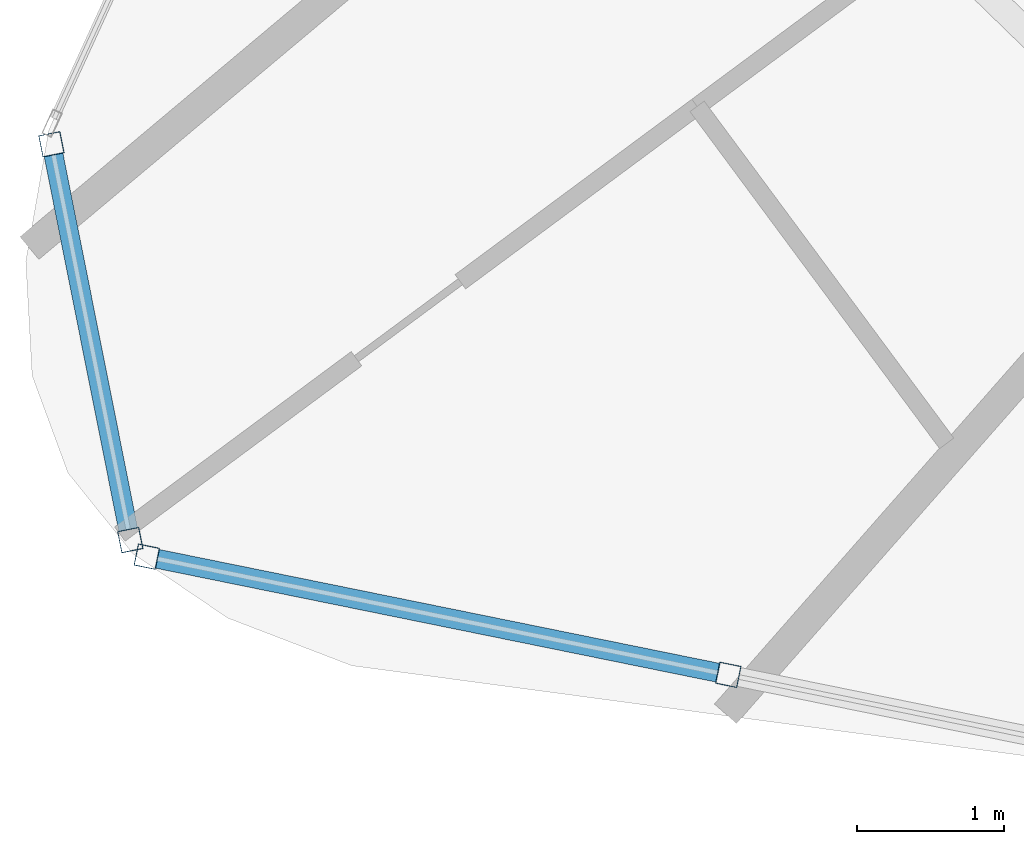
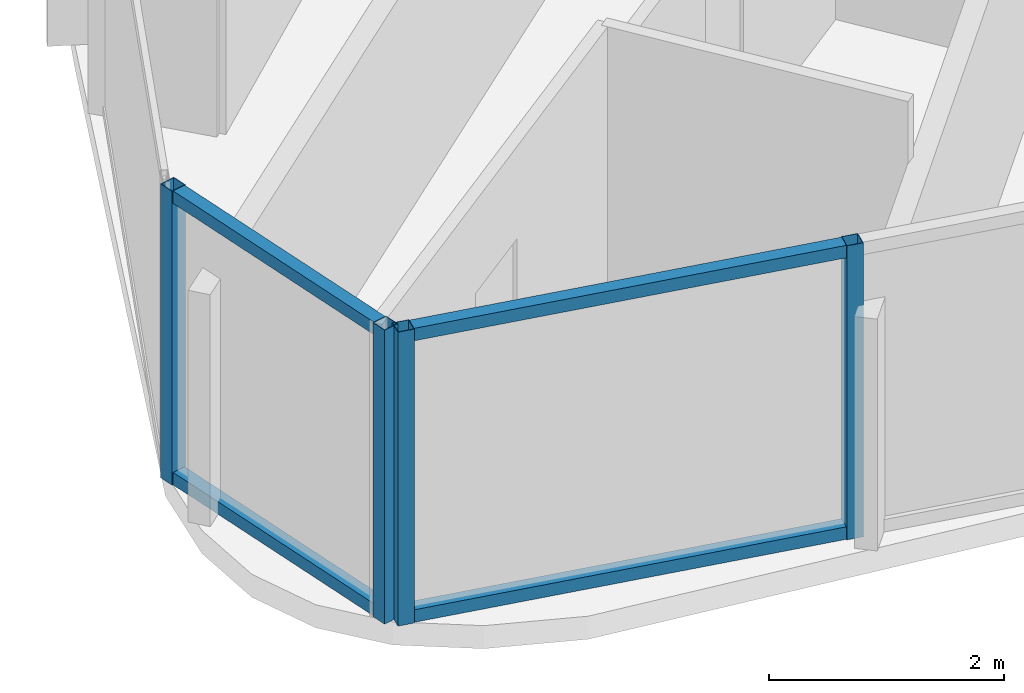
# One storey, part 2 of 38: 8 members, 2 elements without a shape of their own.
"""IFC4 building model written with IfcOpenShell, lengths in metres."""

from ifc_helpers import new_model, si_unit, direction, frame, origin, origin_2d, place, context, subcontext, project, spatial, hollow_rectangle, extrude, material, layer, layer_set, material_profile, profile_set, type_object, element, aggregate, save


model = new_model("IFC4")

# Units and contexts
model_context = context("Model", 3, precision=1e-05, world=origin(), true_north=direction((0.0, 1.0)))
body_context = subcontext(model_context, "Body", "Model", "MODEL_VIEW")
ifc_project = project(units=[si_unit("LENGTHUNIT", "METRE"), si_unit("AREAUNIT", "SQUARE_METRE"), si_unit("VOLUMEUNIT", "CUBIC_METRE"), si_unit("PLANEANGLEUNIT", "RADIAN"), si_unit("MASSUNIT", "GRAM", prefix="KILO")], contexts=[model_context])

# Site, building, storey
site_placement = place(None, origin())
site = spatial("IfcSite", under=ifc_project, at=site_placement, CompositionType="ELEMENT")
building_placement = place(site_placement, origin())
building = spatial("IfcBuilding", under=site, at=building_placement, Name="Orvanel Arch Residences", CompositionType="ELEMENT")
storey_placement = place(building_placement, frame((0.0, 0.0, 43.39990234375)))
storey = spatial("IfcBuildingStorey", under=building, at=storey_placement, Name="L11", CompositionType="ELEMENT", Elevation=43.39990234375)

# Curtain wall, members
ifc_material = material(Name="Bronze-anodised aluminium AA6063-T6", Category="aluminium")
ifc_layer = layer(ifc_material, 0.18994140625)
ifc_layer_set = layer_set([ifc_layer], Name="Bronze-anodised aluminium AA6063-T6")
curtain_wall_type = type_object("IfcCurtainWallType", Name="CW5-CRN-SYS", PredefinedType="NOTDEFINED", material=ifc_layer_set)
curtain_wall_1_placement = place(storey_placement, origin())
curtain_wall_1 = element("IfcCurtainWall", 1, at=curtain_wall_1_placement, inside=storey, type_object=curtain_wall_type, Name="L11 CW5-CRN-SYS Unitised Curtain Wall", PredefinedType="NOTDEFINED")
ifc_material_profile_1 = material_profile(ifc_material, hollow_rectangle(XDim=0.14990234375, YDim=0.14990234375, WallThickness=0.0048828125, at=origin_2d()), Name="ALU150x150x5")
ifc_profile_set_1 = profile_set([ifc_material_profile_1], Name="Bronze-anodised aluminium AA6063-T6")
member_type_1 = type_object("IfcMemberType", Name="MUL-150x150", PredefinedType="MULLION", material=ifc_profile_set_1)
member_1_placement = place(storey_placement, frame((4.51171875, 7.1923828125, 0.0), z_axis=(0.0, 0.0, 1.0), x_axis=(0.980713266811, 0.195452010225, 0.0)))
member_1 = element("IfcMember", 2, at=member_1_placement, type_object=member_type_1, Name="CW-S5 mullion 1", PredefinedType="MULLION", context=body_context, shape_type="SweptSolid", body=[
    extrude(hollow_rectangle(XDim=0.14990234375, YDim=0.14990234375, WallThickness=0.0048828125, at=origin_2d()), origin(), (0.0, 0.0, 1.0), 3.06005859375),
])
member_2_placement = place(storey_placement, frame((5.04833984375, 4.49951171875, 0.0), z_axis=(0.0, 0.0, 1.0), x_axis=(0.980713266811, 0.195452010225, 0.0)))
member_2 = element("IfcMember", 3, at=member_2_placement, type_object=member_type_1, Name="CW-S5 mullion 2", PredefinedType="MULLION", context=body_context, shape_type="SweptSolid", body=[
    extrude(hollow_rectangle(XDim=0.14990234375, YDim=0.14990234375, WallThickness=0.0048828125, at=origin_2d()), origin(), (0.0, 0.0, 1.0), 3.06005859375),
])

curtain_wall_2_placement = place(storey_placement, origin())
curtain_wall_2 = element("IfcCurtainWall", 4, at=curtain_wall_2_placement, inside=storey, type_object=curtain_wall_type, Name="L11 CW5-CRN-SYS Unitised Curtain Wall", PredefinedType="NOTDEFINED")
member_3_placement = place(storey_placement, frame((5.160400390625, 4.386962890625, 0.0), z_axis=(0.0, 0.0, 1.0), x_axis=(0.199178527808, 0.979963220769, 0.0)))
member_3 = element("IfcMember", 5, at=member_3_placement, type_object=member_type_1, Name="CW-S5 mullion 1", PredefinedType="MULLION", context=body_context, shape_type="SweptSolid", body=[
    extrude(hollow_rectangle(XDim=0.14990234375, YDim=0.14990234375, WallThickness=0.0048828125, at=origin_2d()), origin(), (0.0, 0.0, 1.0), 3.06005859375),
])
member_4_placement = place(storey_placement, frame((9.116455078125, 3.5830078125, 0.0), z_axis=(0.0, 0.0, 1.0), x_axis=(0.199178527808, 0.979963220769, 0.0)))
member_4 = element("IfcMember", 6, at=member_4_placement, type_object=member_type_1, Name="CW-S5 mullion 2", PredefinedType="MULLION", context=body_context, shape_type="SweptSolid", body=[
    extrude(hollow_rectangle(XDim=0.14990234375, YDim=0.14990234375, WallThickness=0.0048828125, at=origin_2d()), origin(), (0.0, 0.0, 1.0), 3.06005859375),
])

# Member
ifc_material_profile_2 = material_profile(ifc_material, hollow_rectangle(XDim=0.1298828125, YDim=0.1298828125, WallThickness=0.00439453125, at=origin_2d()), Name="ALU130x130x4.5")
ifc_profile_set_2 = profile_set([ifc_material_profile_2], Name="Bronze-anodised aluminium AA6063-T6")
member_type_2 = type_object("IfcMemberType", Name="TRN-130x130", PredefinedType="USERDEFINED", material=ifc_profile_set_2)
member_5_placement = place(storey_placement, frame((4.5263671875, 7.118896484375, 0.065185546875), z_axis=(0.195428823394, -0.980717887563, 0.0), x_axis=(0.980717887563, 0.195428823394, 0.0)))
member_5 = element("IfcMember", 7, at=member_5_placement, type_object=member_type_2, Name="CW-S5 transom 1.1", ObjectType="TRANSOM", PredefinedType="USERDEFINED", context=body_context, shape_type="SweptSolid", body=[
    extrude(hollow_rectangle(XDim=0.1298828125, YDim=0.1298828125, WallThickness=0.00439453125, at=origin_2d()), origin(), (0.0, 0.0, 1.0), 2.595947265625),
])

member_6_placement = place(storey_placement, frame((4.5263671875, 7.118896484375, 2.9951171875), z_axis=(0.195428823394, -0.980717887563, 0.0), x_axis=(0.980717887563, 0.195428823394, 0.0)))
member_6 = element("IfcMember", 8, at=member_6_placement, type_object=member_type_2, Name="CW-S5 transom 1.2", ObjectType="TRANSOM", PredefinedType="USERDEFINED", context=body_context, shape_type="SweptSolid", body=[
    extrude(hollow_rectangle(XDim=0.1298828125, YDim=0.1298828125, WallThickness=0.00439453125, at=origin_2d()), origin(), (0.0, 0.0, 1.0), 2.595947265625),
])

aggregate(curtain_wall_1, [member_1, member_2, member_5, member_6])

member_7_placement = place(storey_placement, frame((5.23388671875, 4.3720703125, 0.065185546875), z_axis=(0.979964722217, -0.199171140504, 0.0), x_axis=(0.199171140504, 0.979964722217, 0.0)))
member_7 = element("IfcMember", 9, at=member_7_placement, type_object=member_type_2, Name="CW-S5 transom 1.1", ObjectType="TRANSOM", PredefinedType="USERDEFINED", context=body_context, shape_type="SweptSolid", body=[
    extrude(hollow_rectangle(XDim=0.1298828125, YDim=0.1298828125, WallThickness=0.00439453125, at=origin_2d()), origin(), (0.0, 0.0, 1.0), 3.886962890625),
])

member_8_placement = place(storey_placement, frame((5.23388671875, 4.3720703125, 2.9951171875), z_axis=(0.979964722217, -0.199171140504, 0.0), x_axis=(0.199171140504, 0.979964722217, 0.0)))
member_8 = element("IfcMember", 10, at=member_8_placement, type_object=member_type_2, Name="CW-S5 transom 1.2", ObjectType="TRANSOM", PredefinedType="USERDEFINED", context=body_context, shape_type="SweptSolid", body=[
    extrude(hollow_rectangle(XDim=0.1298828125, YDim=0.1298828125, WallThickness=0.00439453125, at=origin_2d()), origin(), (0.0, 0.0, 1.0), 3.886962890625),
])

aggregate(curtain_wall_2, [member_3, member_4, member_7, member_8])

save(model, "model.ifc")
